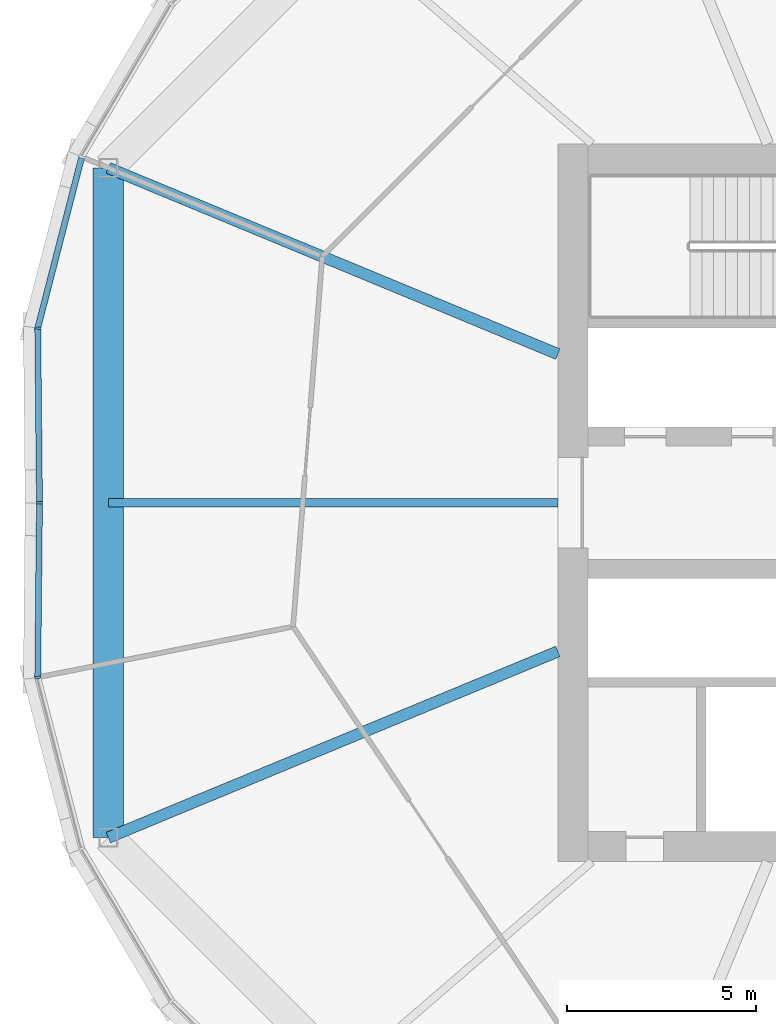
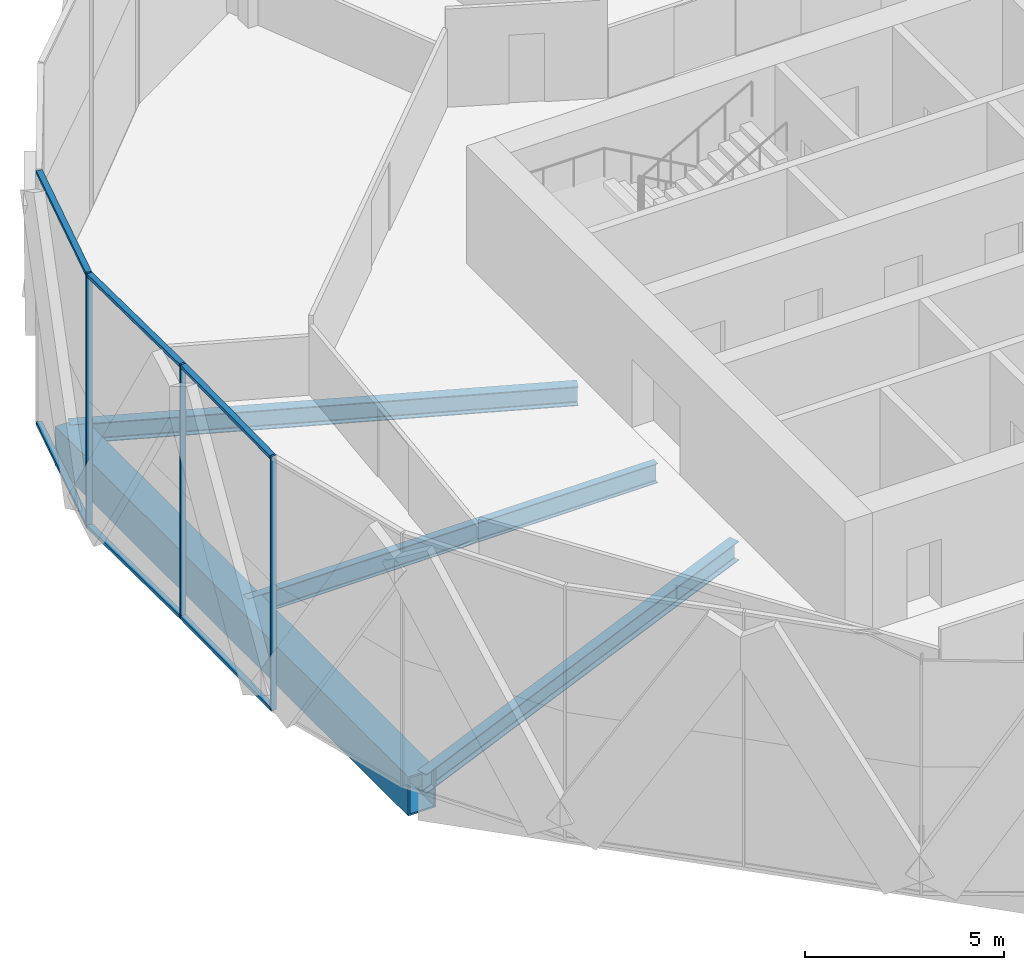
# One storey, part 5 of 31: 9 members, 4 beams, 2 elements without a shape of their own.
"""IFC4 building model written with IfcOpenShell, lengths in metres."""

from ifc_helpers import new_model, si_unit, direction, frame, origin, origin_2d, place, context, subcontext, project, spatial, rectangle, hollow_rectangle, i_section, extrude, material, material_profile, profile_set, type_object, element, aggregate, save


model = new_model("IFC4")

# Units and contexts
model_context = context("Model", 3, precision=1e-05, world=origin(), true_north=direction((0.0, 1.0)))
body_context = subcontext(model_context, "Body", "Model", "MODEL_VIEW")
ifc_project = project(units=[si_unit("LENGTHUNIT", "METRE"), si_unit("AREAUNIT", "SQUARE_METRE"), si_unit("VOLUMEUNIT", "CUBIC_METRE"), si_unit("PLANEANGLEUNIT", "RADIAN"), si_unit("MASSUNIT", "GRAM", prefix="KILO")], contexts=[model_context])

# Site, building, storey
site_placement = place(None, origin())
site = spatial("IfcSite", under=ifc_project, at=site_placement, CompositionType="ELEMENT")
building_placement = place(site_placement, origin())
building = spatial("IfcBuilding", under=site, at=building_placement, Name="Ogive Gate Towers", CompositionType="ELEMENT")
storey_placement = place(building_placement, frame((0.0, 0.0, 107.39990234375)))
storey = spatial("IfcBuildingStorey", under=building, at=storey_placement, Name="L25", CompositionType="ELEMENT", Elevation=107.39990234375)

# Beams
ifc_material_1 = material(Name="Steel SM460", Category="steel")
ifc_material_profile_1 = material_profile(ifc_material_1, hollow_rectangle(XDim=0.800048828125, YDim=1.199951171875, WallThickness=0.050048828125, at=origin_2d()), Name="BX 1200x800x50")
ifc_profile_set_1 = profile_set([ifc_material_profile_1], Name="Steel SM460")
beam_type_1 = type_object("IfcBeamType", Name="Edge girder BX 1200x800x50", PredefinedType="BEAM", material=ifc_profile_set_1)
beam_1_placement = place(storey_placement, frame((-57.39697265625, 8.863037109375, -0.89990234375), z_axis=(0.0, -1.0, 0.0), x_axis=(1.0, 0.0, 0.0)))
element("IfcBeam", 1, at=beam_1_placement, inside=storey, type_object=beam_type_1, Name="T1/L25/SBM024", PredefinedType="BEAM", context=body_context, shape_type="SweptSolid", body=[
    extrude(hollow_rectangle(XDim=0.800048828125, YDim=1.199951171875, WallThickness=0.050048828125, at=origin_2d()), origin(), (0.0, 0.0, 1.0), 17.72607421875),
])
ifc_material_2 = material(Name="Steel SM355", Category="steel")
ifc_material_profile_2 = material_profile(ifc_material_2, i_section(OverallWidth=0.300048828125, OverallDepth=0.590087890625, WebThickness=0.012939453125, FlangeThickness=0.02490234375, FilletRadius=0.027099609375, at=origin_2d()), Name="HE 600 A")
ifc_profile_set_2 = profile_set([ifc_material_profile_2], Name="Steel SM355")
beam_type_2 = type_object("IfcBeamType", Name="Radial floor beam HE 600 A", PredefinedType="BEAM", material=ifc_profile_set_2)
for number, where, z_axis, x_axis, name in (
    (2, (-45.5, -3.93505859375, -0.594970703125), (-0.923877031545, -0.382689470177, 0.0), (0.382689470177, -0.923877031545, 0.0), "T1/L25/SBM001"),
    (3, (-45.5, 3.93505859375, -0.594970703125), (-0.923877031545, 0.382689470177, 0.0), (-0.382689470177, -0.923877031545, 0.0), "T1/L25/SBM015"),
):
    element("IfcBeam", number, at=place(storey_placement, frame(where, z_axis=z_axis, x_axis=x_axis)), inside=storey, type_object=beam_type_2, Name=name, PredefinedType="BEAM", context=body_context, shape_type="SweptSolid", body=[
        extrude(i_section(OverallWidth=0.300048828125, OverallDepth=0.590087890625, WebThickness=0.012939453125, FlangeThickness=0.02490234375, FilletRadius=0.027099609375, at=origin_2d()), origin(), (0.0, 0.0, 1.0), 12.877197265625),
    ])
ifc_material_profile_3 = material_profile(ifc_material_2, i_section(OverallWidth=0.219970703125, OverallDepth=0.60009765625, WebThickness=0.011962890625, FlangeThickness=0.01904296875, FilletRadius=0.02392578125, at=origin_2d()), Name="IPE 600")
ifc_profile_set_3 = profile_set([ifc_material_profile_3], Name="Steel SM355")
beam_type_3 = type_object("IfcBeamType", Name="Radial floor beam IPE 600", PredefinedType="BEAM", material=ifc_profile_set_3)
beam_2_placement = place(storey_placement, frame((-45.5, 0.0, -0.599853515625), z_axis=(-1.0, 0.0, 0.0), x_axis=(0.0, -1.0, 0.0)))
element("IfcBeam", 4, at=beam_2_placement, inside=storey, type_object=beam_type_3, Name="T1/L25/SBM016", PredefinedType="BEAM", context=body_context, shape_type="SweptSolid", body=[
    extrude(i_section(OverallWidth=0.219970703125, OverallDepth=0.60009765625, WebThickness=0.011962890625, FlangeThickness=0.01904296875, FilletRadius=0.02392578125, at=origin_2d()), origin(), (0.0, 0.0, 1.0), 11.89697265625),
])

# Curtain wall, members
ifc_material_3 = material(Name="Pale metal aluminium", Category="aluminium")
curtain_wall_type = type_object("IfcCurtainWallType", Name="Tower unitised wall, low zone", PredefinedType="NOTDEFINED", material=ifc_material_3)
curtain_wall_1_placement = place(storey_placement, origin())
curtain_wall_1 = element("IfcCurtainWall", 5, at=curtain_wall_1_placement, inside=storey, type_object=curtain_wall_type, Name="CW1 T1 ECW04", PredefinedType="NOTDEFINED")
ifc_material_profile_4 = material_profile(ifc_material_3, rectangle(XDim=0.159912109375, YDim=0.06005859375, at=origin_2d()), Name="60 x 160 aluminium box")
ifc_profile_set_4 = profile_set([ifc_material_profile_4], Name="Pale metal aluminium")
member_type_1 = type_object("IfcMemberType", Name="Tower unitised wall, low zone mullion 60 x 160", PredefinedType="MULLION", material=ifc_profile_set_4)
member_1_placement = place(storey_placement, frame((-59.26611328125, 4.62158203125, -0.2998046875), z_axis=(0.0, 0.0, 1.0), x_axis=(-0.99269640805, 0.120639303069, 0.0)))
member_1 = element("IfcMember", 6, at=member_1_placement, type_object=member_type_1, Name="CW1 mullion", PredefinedType="MULLION", context=body_context, shape_type="SweptSolid", body=[
    extrude(rectangle(XDim=0.159912109375, YDim=0.06005859375, at=origin_2d()), origin(), (0.0, 0.0, 1.0), 7.7998046875),
])
member_2_placement = place(storey_placement, frame((-59.219970703125, 0.000244140625, -0.2998046875), z_axis=(0.0, 0.0, 1.0), x_axis=(-0.999950688785, -0.009930760208, 0.0)))
member_2 = element("IfcMember", 7, at=member_2_placement, type_object=member_type_1, Name="CW1 mullion", PredefinedType="MULLION", context=body_context, shape_type="SweptSolid", body=[
    extrude(rectangle(XDim=0.159912109375, YDim=0.06005859375, at=origin_2d()), origin(), (0.0, 0.0, 1.0), 7.7998046875),
])

# Curtain wall, member
curtain_wall_2_placement = place(storey_placement, origin())
curtain_wall_2 = element("IfcCurtainWall", 8, at=curtain_wall_2_placement, inside=storey, type_object=curtain_wall_type, Name="CW1 T1 ECW05", PredefinedType="NOTDEFINED")
member_3_placement = place(storey_placement, frame((-59.26611328125, -4.62158203125, -0.2998046875), z_axis=(0.0, 0.0, 1.0), x_axis=(-0.99269640805, -0.120639303069, 0.0)))
member_3 = element("IfcMember", 9, at=member_3_placement, type_object=member_type_1, Name="CW1 mullion", PredefinedType="MULLION", context=body_context, shape_type="SweptSolid", body=[
    extrude(rectangle(XDim=0.159912109375, YDim=0.06005859375, at=origin_2d()), origin(), (0.0, 0.0, 1.0), 7.7998046875),
])

# Member
ifc_material_profile_5 = material_profile(ifc_material_3, rectangle(XDim=0.159912109375, YDim=0.10009765625, at=origin_2d()), Name="100 x 160 aluminium box")
ifc_profile_set_5 = profile_set([ifc_material_profile_5], Name="Pale metal aluminium")
member_type_2 = type_object("IfcMemberType", Name="Tower unitised wall, low zone transom 100 x 160", PredefinedType="USERDEFINED", material=ifc_profile_set_5)
member_4_placement = place(storey_placement, frame((-58.106689453125, 9.127685546875, 7.4501953125), z_axis=(-0.24913722869, -0.968468193221, 0.0), x_axis=(0.968468193221, -0.24913722869, 0.0)))
member_4 = element("IfcMember", 10, at=member_4_placement, type_object=member_type_2, Name="CW1 transom", ObjectType="TRANSOM", PredefinedType="USERDEFINED", context=body_context, shape_type="SweptSolid", body=[
    extrude(rectangle(XDim=0.159912109375, YDim=0.10009765625, at=origin_2d()), origin(), (0.0, 0.0, 1.0), 4.625244140625),
])

member_5_placement = place(storey_placement, frame((-58.106689453125, 9.127685546875, -0.25), z_axis=(-0.24913722869, -0.968468193221, 0.0), x_axis=(0.968468193221, -0.24913722869, 0.0)))
member_5 = element("IfcMember", 11, at=member_5_placement, type_object=member_type_2, Name="CW1 transom", ObjectType="TRANSOM", PredefinedType="USERDEFINED", context=body_context, shape_type="SweptSolid", body=[
    extrude(rectangle(XDim=0.159912109375, YDim=0.10009765625, at=origin_2d()), origin(), (0.0, 0.0, 1.0), 4.625244140625),
])

member_6_placement = place(storey_placement, frame((-59.265625, 4.59423828125, 7.4501953125), z_axis=(0.009949224028, -0.999950505246, 0.0), x_axis=(0.999950505246, 0.009949224028, 0.0)))
member_6 = element("IfcMember", 12, at=member_6_placement, type_object=member_type_2, Name="CW1 transom", ObjectType="TRANSOM", PredefinedType="USERDEFINED", context=body_context, shape_type="SweptSolid", body=[
    extrude(rectangle(XDim=0.159912109375, YDim=0.10009765625, at=origin_2d()), origin(), (0.0, 0.0, 1.0), 4.564208984375),
])

member_7_placement = place(storey_placement, frame((-59.265625, 4.59423828125, -0.25), z_axis=(0.009949224028, -0.999950505246, 0.0), x_axis=(0.999950505246, 0.009949224028, 0.0)))
member_7 = element("IfcMember", 13, at=member_7_placement, type_object=member_type_2, Name="CW1 transom", ObjectType="TRANSOM", PredefinedType="USERDEFINED", context=body_context, shape_type="SweptSolid", body=[
    extrude(rectangle(XDim=0.159912109375, YDim=0.10009765625, at=origin_2d()), origin(), (0.0, 0.0, 1.0), 4.564208984375),
])

aggregate(curtain_wall_1, [member_1, member_4, member_5, member_2, member_6, member_7])

member_8_placement = place(storey_placement, frame((-59.22021484375, -0.0302734375, 7.4501953125), z_axis=(-0.009949224028, -0.999950505246, 0.0), x_axis=(0.999950505246, -0.009949224028, 0.0)))
member_8 = element("IfcMember", 14, at=member_8_placement, type_object=member_type_2, Name="CW1 transom", ObjectType="TRANSOM", PredefinedType="USERDEFINED", context=body_context, shape_type="SweptSolid", body=[
    extrude(rectangle(XDim=0.159912109375, YDim=0.10009765625, at=origin_2d()), origin(), (0.0, 0.0, 1.0), 4.564208984375),
])

member_9_placement = place(storey_placement, frame((-59.22021484375, -0.0302734375, -0.25), z_axis=(-0.009949224028, -0.999950505246, 0.0), x_axis=(0.999950505246, -0.009949224028, 0.0)))
member_9 = element("IfcMember", 15, at=member_9_placement, type_object=member_type_2, Name="CW1 transom", ObjectType="TRANSOM", PredefinedType="USERDEFINED", context=body_context, shape_type="SweptSolid", body=[
    extrude(rectangle(XDim=0.159912109375, YDim=0.10009765625, at=origin_2d()), origin(), (0.0, 0.0, 1.0), 4.564208984375),
])

aggregate(curtain_wall_2, [member_3, member_8, member_9])

save(model, "model.ifc")
